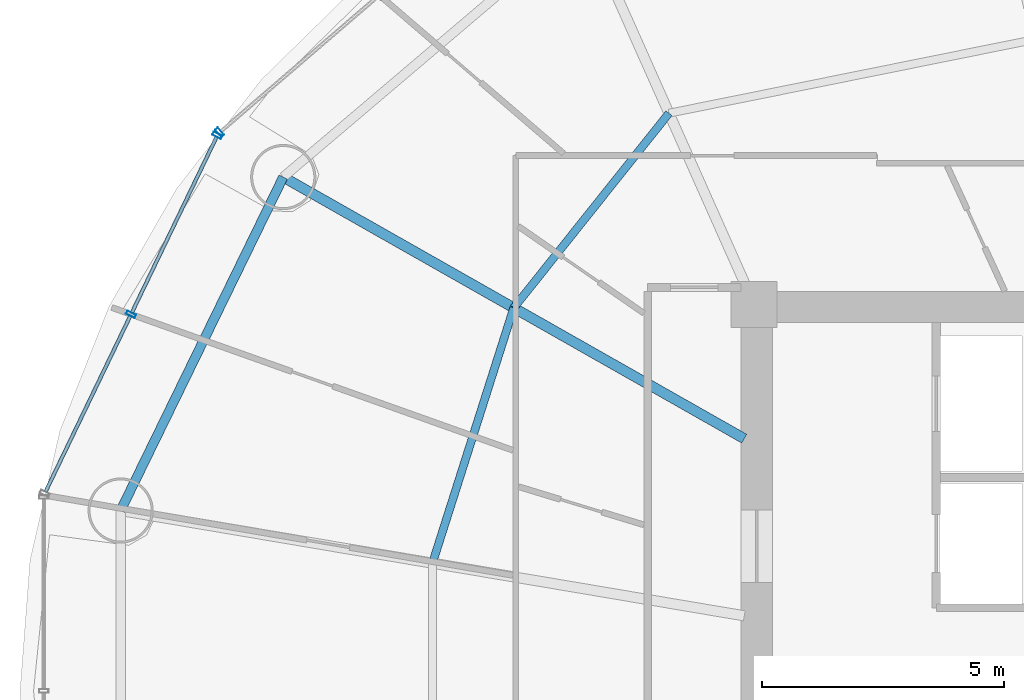
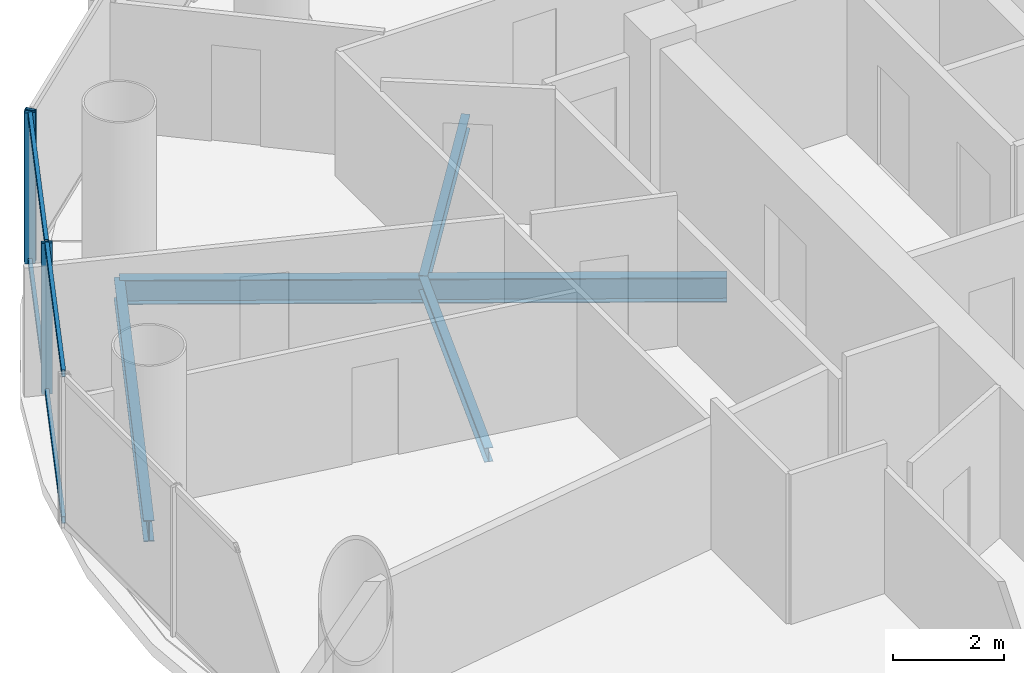
# One storey, part 8 of 26: 7 members, 4 beams, 2 elements without a shape of their own.
"""IFC4 building model written with IfcOpenShell, lengths in metres."""

from ifc_helpers import new_model, si_unit, direction, frame, origin, origin_2d, place, context, subcontext, project, spatial, hollow_rectangle, i_section, extrude, source, transform, mapped, material, material_profile, profile_set, type_object, element, aggregate, save


model = new_model("IFC4")

# Units and contexts
model_context = context("Model", 3, precision=1e-05, world=origin(), true_north=direction((-0.2419218956, 0.970295726276)))
body_context = subcontext(model_context, "Body", "Model", "MODEL_VIEW")
ifc_project = project(units=[si_unit("LENGTHUNIT", "METRE"), si_unit("AREAUNIT", "SQUARE_METRE"), si_unit("VOLUMEUNIT", "CUBIC_METRE"), si_unit("PLANEANGLEUNIT", "RADIAN"), si_unit("MASSUNIT", "GRAM", prefix="KILO")], contexts=[model_context])

# Site, building, storey
site_placement = place(None, origin())
site = spatial("IfcSite", under=ifc_project, at=site_placement, CompositionType="ELEMENT")
building_placement = place(site_placement, origin())
building = spatial("IfcBuilding", under=site, at=building_placement, Name="Cobrevalo Terracotta Tower", CompositionType="ELEMENT")
storey_placement = place(building_placement, frame((0.0, 0.0, 142.60009765625)))
storey = spatial("IfcBuildingStorey", under=building, at=storey_placement, Name="L37", CompositionType="ELEMENT", Elevation=142.60009765625)

# Beams
ifc_material_1 = material(Name="Steel S355", Category="steel")
ifc_material_profile_1 = material_profile(ifc_material_1, i_section(OverallWidth=0.2109375, OverallDepth=0.5390625, WebThickness=0.01171875, FlangeThickness=0.018798828125, at=origin_2d()), Name="W 530x109")
ifc_profile_set_1 = profile_set([ifc_material_profile_1], Name="Steel S355")
beam_type_1 = type_object("IfcBeamType", Name="Structural Beam W 530x109 (Steel S355)", PredefinedType="BEAM", material=ifc_profile_set_1)
beam_1_placement = place(storey_placement, frame((19.250244140625, 37.439208984375, -0.53955078125), z_axis=(0.869734177783, -0.493520475762, 0.0), x_axis=(0.493520475762, 0.869734177783, 0.0)))
element("IfcBeam", 1, at=beam_1_placement, inside=storey, type_object=beam_type_1, Name="L37 radial floor girder 07", PredefinedType="BEAM", context=body_context, shape_type="SweptSolid", body=[
    extrude(i_section(OverallWidth=0.2109375, OverallDepth=0.5390625, WebThickness=0.01171875, FlangeThickness=0.018798828125, at=origin_2d()), origin(), (0.0, 0.0, 1.0), 10.974365234375),
])
ifc_material_profile_2 = material_profile(ifc_material_1, i_section(OverallWidth=0.1650390625, OverallDepth=0.31005859375, WebThickness=0.005859375, FlangeThickness=0.009765625, at=origin_2d()), Name="W 310x38.7")
ifc_profile_set_2 = profile_set([ifc_material_profile_2], Name="Steel S355")
beam_type_2 = type_object("IfcBeamType", Name="Structural Joist W 310x38.7 (Steel S355)", PredefinedType="JOIST", material=ifc_profile_set_2)
beam_2_placement = place(storey_placement, frame((27.23583984375, 38.76123046875, -0.425048828125), z_axis=(-0.62340602772, -0.781898282773, 0.0), x_axis=(0.781898282773, -0.62340602772, 0.0)))
element("IfcBeam", 2, at=beam_2_placement, inside=storey, type_object=beam_type_2, Name="L37 circumferential secondary floor joist 06", PredefinedType="JOIST", context=body_context, shape_type="SweptSolid", body=[
    extrude(i_section(OverallWidth=0.1650390625, OverallDepth=0.31005859375, WebThickness=0.005859375, FlangeThickness=0.009765625, at=origin_2d()), origin(), (0.0, 0.0, 1.0), 5.154052734375),
])
beam_3_placement = place(storey_placement, frame((24.022705078125, 34.731201171875, -0.425048828125), z_axis=(-0.303497928386, -0.952832098255, 0.0), x_axis=(0.952832098255, -0.303497928386, 0.0)))
element("IfcBeam", 3, at=beam_3_placement, inside=storey, type_object=beam_type_2, Name="L37 circumferential secondary floor joist 07", PredefinedType="JOIST", context=body_context, shape_type="SweptSolid", body=[
    extrude(i_section(OverallWidth=0.1650390625, OverallDepth=0.31005859375, WebThickness=0.005859375, FlangeThickness=0.009765625, at=origin_2d()), origin(), (0.0, 0.0, 1.0), 5.54736328125),
])
ifc_material_profile_3 = material_profile(ifc_material_1, i_section(OverallWidth=0.194091796875, OverallDepth=0.468994140625, WebThickness=0.011474609375, FlangeThickness=0.0205078125, at=origin_2d()), Name="W 460x106")
ifc_profile_set_3 = profile_set([ifc_material_profile_3], Name="Steel S355")
beam_type_3 = type_object("IfcBeamType", Name="Structural Spandrel W 460x106 (Steel S355)", PredefinedType="SPANDREL", material=ifc_profile_set_3)
beam_4_placement = place(storey_placement, frame((19.250244140625, 37.439208984375, -0.504638671875), z_axis=(-0.438367894028, -0.89879563277, 0.0), x_axis=(0.89879563277, -0.438367894028, 0.0)))
element("IfcBeam", 4, at=beam_4_placement, inside=storey, type_object=beam_type_3, Name="L37 perimeter ring spandrel 07", PredefinedType="SPANDREL", context=body_context, shape_type="SweptSolid", body=[
    extrude(i_section(OverallWidth=0.194091796875, OverallDepth=0.468994140625, WebThickness=0.011474609375, FlangeThickness=0.0205078125, at=origin_2d()), origin(), (0.0, 0.0, 1.0), 7.6806640625),
])

# Curtain wall, members
ifc_material_2 = material(Name="Anodized aluminium", Category="aluminium")
curtain_wall_type = type_object("IfcCurtainWallType", Name="Mid-tower high-wind unitised curtain wall CW-U2", PredefinedType="NOTDEFINED", material=ifc_material_2)
curtain_wall_1_placement = place(storey_placement, origin())
curtain_wall_1 = element("IfcCurtainWall", 5, at=curtain_wall_1_placement, inside=storey, type_object=curtain_wall_type, Name="L37 curtain wall CW-L37-S07", PredefinedType="NOTDEFINED")
ifc_material_profile_4 = material_profile(ifc_material_2, hollow_rectangle(XDim=0.074951171875, YDim=0.14990234375, WallThickness=0.00439453125, at=origin_2d()), Name="CWT 75x150")
ifc_profile_set_4 = profile_set([ifc_material_profile_4], Name="Anodized aluminium")
member_type_1 = type_object("IfcMemberType", Name="Tower unitised aluminium transom 75x150", PredefinedType="USERDEFINED", material=ifc_profile_set_4)
shared_shape_1 = source(origin(), body_context, "Body", "SweptSolid", [
    extrude(hollow_rectangle(XDim=0.074951171875, YDim=0.14990234375, WallThickness=0.00439453125, at=origin_2d()), origin(), (0.0, 0.0, 1.0), 4.035888671875),
])
member_1_placement = place(storey_placement, frame((17.86865234375, 38.26708984375, 0.0498046875), z_axis=(-0.434221176581, -0.900806288726, 0.0), x_axis=(0.900806288726, -0.434221176581, 0.0)))
member_1 = element("IfcMember", 6, at=member_1_placement, type_object=member_type_1, Name="CW-L37-S07 transom B01-T1", ObjectType="TRANSOM", PredefinedType="USERDEFINED", context=body_context, shape_type="MappedRepresentation", body=[
    mapped(shared_shape_1, transform((0.0, 0.0, 0.0), scale=1.0)),
])
member_2_placement = place(storey_placement, frame((17.86865234375, 38.26708984375, 3.27978515625), z_axis=(-0.434221176581, -0.900806288726, 0.0), x_axis=(0.900806288726, -0.434221176581, 0.0)))
member_2 = element("IfcMember", 7, at=member_2_placement, type_object=member_type_1, Name="CW-L37-S07 transom B01-T2", ObjectType="TRANSOM", PredefinedType="USERDEFINED", context=body_context, shape_type="MappedRepresentation", body=[
    mapped(shared_shape_1, transform((0.0, 0.0, 0.0), scale=1.0)),
])
member_3_placement = place(storey_placement, frame((16.08154296875, 34.5595703125, 0.0498046875), z_axis=(-0.434221176581, -0.900806288726, 0.0), x_axis=(0.900806288726, -0.434221176581, 0.0)))
member_3 = element("IfcMember", 8, at=member_3_placement, type_object=member_type_1, Name="CW-L37-S07 transom B02-T1", ObjectType="TRANSOM", PredefinedType="USERDEFINED", context=body_context, shape_type="MappedRepresentation", body=[
    mapped(shared_shape_1, transform((0.0, 0.0, 0.0), scale=1.0)),
])
member_4_placement = place(storey_placement, frame((16.08154296875, 34.5595703125, 3.27978515625), z_axis=(-0.434221176581, -0.900806288726, 0.0), x_axis=(0.900806288726, -0.434221176581, 0.0)))
member_4 = element("IfcMember", 9, at=member_4_placement, type_object=member_type_1, Name="CW-L37-S07 transom B02-T2", ObjectType="TRANSOM", PredefinedType="USERDEFINED", context=body_context, shape_type="MappedRepresentation", body=[
    mapped(shared_shape_1, transform((0.0, 0.0, 0.0), scale=1.0)),
])

# Curtain wall, member
curtain_wall_2_placement = place(storey_placement, origin())
curtain_wall_2 = element("IfcCurtainWall", 10, at=curtain_wall_2_placement, inside=storey, type_object=curtain_wall_type, Name="L37 curtain wall CW-L37-S06", PredefinedType="NOTDEFINED")
ifc_material_profile_5 = material_profile(ifc_material_2, hollow_rectangle(XDim=0.074951171875, YDim=0.199951171875, WallThickness=0.0048828125, at=origin_2d()), Name="CWM 75x200")
ifc_profile_set_5 = profile_set([ifc_material_profile_5], Name="Anodized aluminium")
member_type_2 = type_object("IfcMemberType", Name="Lower/mid tower unitised mullion 75x200", PredefinedType="MULLION", material=ifc_profile_set_5)
shared_shape_2 = source(origin(), body_context, "Body", "SweptSolid", [
    extrude(hollow_rectangle(XDim=0.074951171875, YDim=0.199951171875, WallThickness=0.0048828125, at=origin_2d()), origin(), (0.0, 0.0, 1.0), 3.329833984375),
])
member_5_placement = place(storey_placement, frame((17.933837890625, 38.365234375, 0.0), z_axis=(0.0, 0.0, 1.0), x_axis=(-0.758441546142, -0.65174106905, 0.0)))
member_5 = element("IfcMember", 11, at=member_5_placement, type_object=member_type_2, Name="CW-L37-S06 vertical mullion 03", PredefinedType="MULLION", context=body_context, shape_type="MappedRepresentation", body=[
    mapped(shared_shape_2, transform((0.0, 0.0, 0.0), scale=1.0)),
])
aggregate(curtain_wall_2, [member_5])

# Member
member_6_placement = place(storey_placement, frame((17.885986328125, 38.30322265625, 0.0), z_axis=(0.0, 0.0, 1.0), x_axis=(-0.434209440271, -0.900811945957, 0.0)))
member_6 = element("IfcMember", 12, at=member_6_placement, type_object=member_type_2, Name="CW-L37-S07 vertical mullion 01", PredefinedType="MULLION", context=body_context, shape_type="MappedRepresentation", body=[
    mapped(shared_shape_2, transform((0.0, 0.0, 0.0), scale=1.0)),
])

member_7_placement = place(storey_placement, frame((16.098876953125, 34.595703125, 0.0), z_axis=(0.0, 0.0, 1.0), x_axis=(-0.434209440271, -0.900811945957, 0.0)))
member_7 = element("IfcMember", 13, at=member_7_placement, type_object=member_type_2, Name="CW-L37-S07 vertical mullion 02", PredefinedType="MULLION", context=body_context, shape_type="MappedRepresentation", body=[
    mapped(shared_shape_2, transform((0.0, 0.0, 0.0), scale=1.0)),
])

aggregate(curtain_wall_1, [member_6, member_7, member_1, member_2, member_3, member_4])

save(model, "model.ifc")
